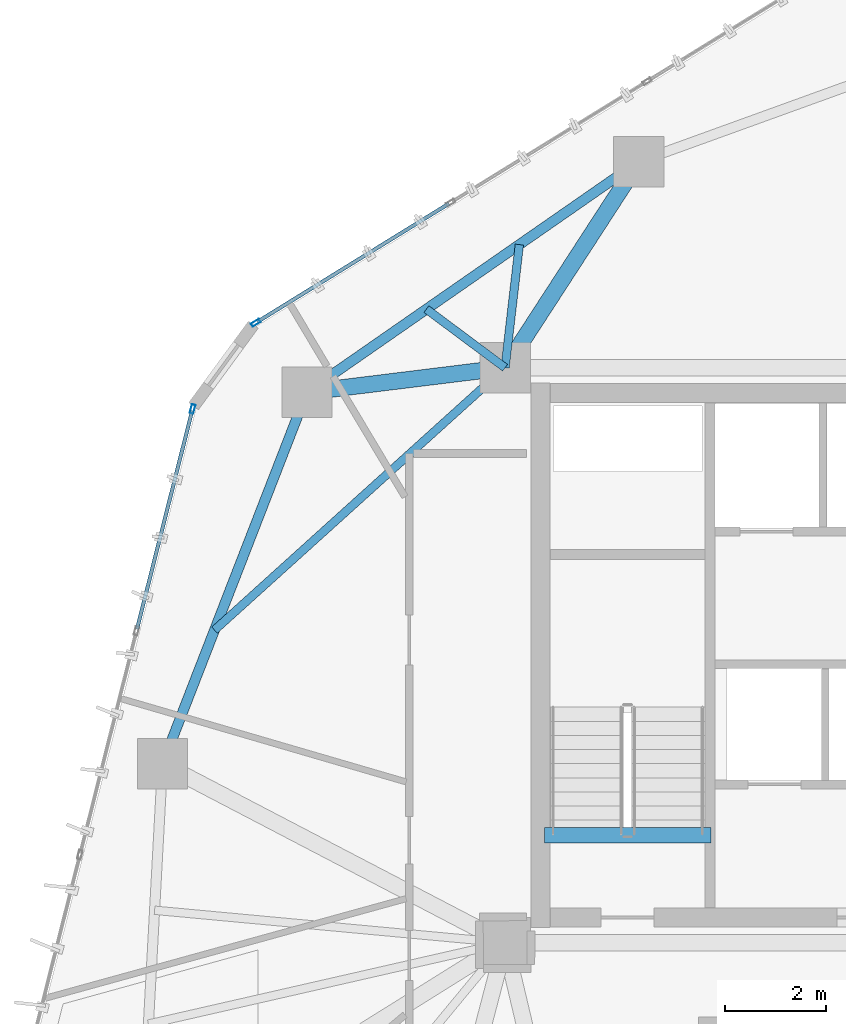
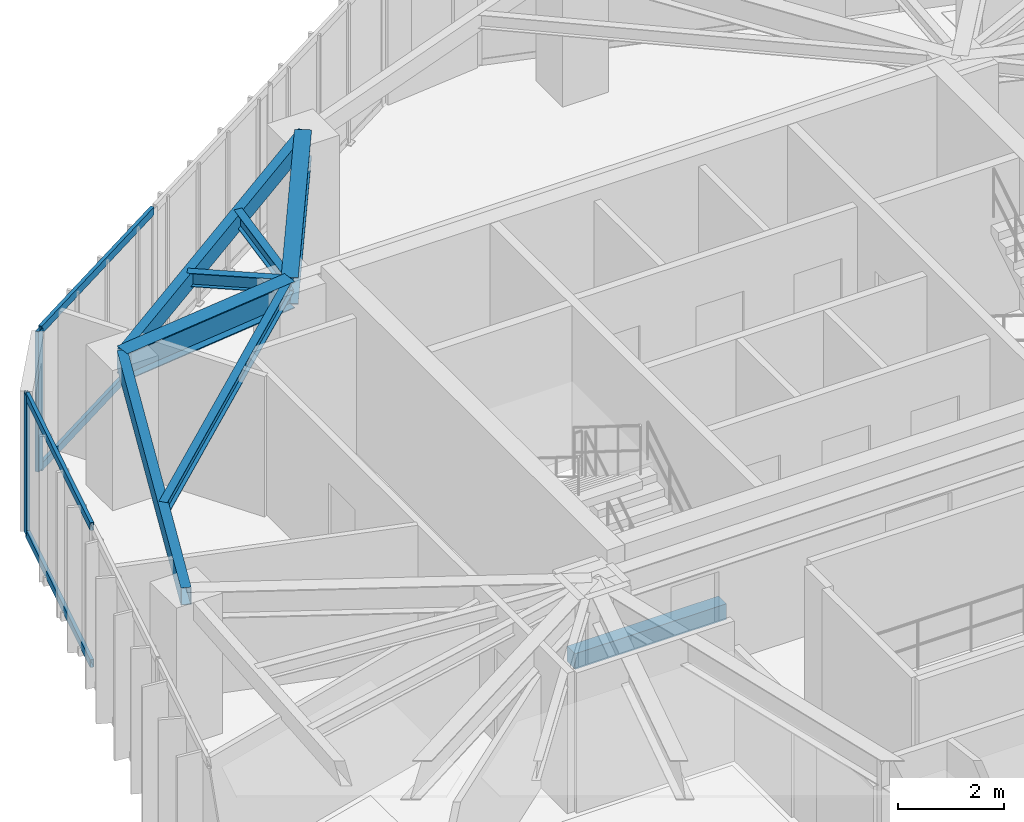
# One storey, part 7 of 21: 8 beams, 6 members, 2 elements without a shape of their own.
"""IFC4 building model written with IfcOpenShell, lengths in metres."""

from ifc_helpers import new_model, si_unit, direction, frame, origin, origin_2d, place, context, subcontext, project, spatial, rectangle, hollow_rectangle, i_section, extrude, source, transform, mapped, material, layer, layer_set, material_profile, profile_set, type_object, type_shapes, element, aggregate, save


model = new_model("IFC4")

# Units and contexts
model_context = context("Model", 3, precision=1e-05, world=origin(), true_north=direction((0.0, 1.0)))
body_context = subcontext(model_context, "Body", "Model", "MODEL_VIEW")
ifc_project = project(units=[si_unit("LENGTHUNIT", "METRE"), si_unit("AREAUNIT", "SQUARE_METRE"), si_unit("VOLUMEUNIT", "CUBIC_METRE"), si_unit("PLANEANGLEUNIT", "RADIAN"), si_unit("MASSUNIT", "GRAM", prefix="KILO")], contexts=[model_context])

# Site, building, storey
site_placement = place(None, origin())
site = spatial("IfcSite", under=ifc_project, at=site_placement, CompositionType="ELEMENT")
building_placement = place(site_placement, origin())
building = spatial("IfcBuilding", under=site, at=building_placement, Name="Talar Marvaseh", CompositionType="ELEMENT")
storey_placement = place(building_placement, frame((0.0, 0.0, 184.5)))
storey = spatial("IfcBuildingStorey", under=building, at=storey_placement, Name="L48", CompositionType="ELEMENT", Elevation=184.5)

# Beams
ifc_material_1 = material(Name="Concrete C40/50", Category="concrete")
ifc_material_profile_1 = material_profile(ifc_material_1, rectangle(XDim=0.300048828125, YDim=0.360107421875, at=origin_2d()), Name="RC300x360")
ifc_profile_set_1 = profile_set([ifc_material_profile_1], Name="Concrete C40/50")
beam_type_1 = type_object("IfcBeamType", Name="Concrete Stair Landing Trimmer Beam RC300x360", PredefinedType="SPANDREL", material=ifc_profile_set_1)
beam_1_placement = place(storey_placement, frame((22.780029296875, 27.6298828125, -0.179931640625), z_axis=(-1.0, 0.0, 0.0), x_axis=(0.0, -1.0, 0.0)))
element("IfcBeam", 1, at=beam_1_placement, inside=storey, type_object=beam_type_1, Name="L48 ST-1 Stair Nosing Trimmer Beam", PredefinedType="SPANDREL", context=body_context, shape_type="SweptSolid", body=[
    extrude(rectangle(XDim=0.300048828125, YDim=0.360107421875, at=origin_2d()), origin(), (0.0, 0.0, 1.0), 3.300048828125),
])
ifc_material_2 = material(Name="Steel S355", Category="steel")
ifc_material_profile_2 = material_profile(ifc_material_2, hollow_rectangle(XDim=0.199951171875, YDim=0.39990234375, WallThickness=0.013916015625, at=origin_2d()), Name="RHS400x200x14")
ifc_profile_set_2 = profile_set([ifc_material_profile_2], Name="Steel S355")
beam_type_2 = type_object("IfcBeamType", Name="Zone 3 Perimeter Spandrel Beam RHS400x200x14", PredefinedType="SPANDREL", material=ifc_profile_set_2)
beam_2_placement = place(storey_placement, frame((11.908935546875, 29.044921875, 3.030029296875), z_axis=(0.362169134611, 0.932112395548, 0.0), x_axis=(-0.932112395548, 0.362169134611, 0.0)))
element("IfcBeam", 2, at=beam_2_placement, inside=storey, type_object=beam_type_2, Name="L48 Zone 3 Perimeter Spandrel Beam RHS400x200x14", PredefinedType="SPANDREL", context=body_context, shape_type="SweptSolid", body=[
    extrude(hollow_rectangle(XDim=0.199951171875, YDim=0.39990234375, WallThickness=0.013916015625, at=origin_2d()), origin(), (0.0, 0.0, 1.0), 7.907958984375),
])
beam_3_placement = place(storey_placement, frame((14.77294921875, 36.416015625, 3.030029296875), z_axis=(0.821296978901, 0.570500896098, 0.0), x_axis=(-0.570500896098, 0.821296978901, 0.0)))
element("IfcBeam", 3, at=beam_3_placement, inside=storey, type_object=beam_type_2, Name="L48 Zone 3 Perimeter Spandrel Beam RHS400x200x14", PredefinedType="SPANDREL", context=body_context, shape_type="SweptSolid", body=[
    extrude(hollow_rectangle(XDim=0.199951171875, YDim=0.39990234375, WallThickness=0.013916015625, at=origin_2d()), origin(), (0.0, 0.0, 1.0), 8.0107421875),
])
ifc_material_profile_3 = material_profile(ifc_material_2, i_section(OverallWidth=0.324951171875, OverallDepth=0.615966796875, WebThickness=0.013916015625, FlangeThickness=0.021484375, at=origin_2d()), Name="W610x174")
ifc_profile_set_3 = profile_set([ifc_material_profile_3], Name="Steel S355")
beam_type_3 = type_object("IfcBeamType", Name="Zone 3 Radial Floor Girder W610x174", PredefinedType="BEAM", material=ifc_profile_set_3)
beam_4_placement = place(storey_placement, frame((14.77294921875, 36.416015625, 2.922119140625), z_axis=(0.99249373738, 0.122295467049, 0.0), x_axis=(-0.122295467049, 0.99249373738, 0.0)))
element("IfcBeam", 4, at=beam_4_placement, inside=storey, type_object=beam_type_3, Name="L48 Zone 3 Radial Floor Girder W610x174", PredefinedType="BEAM", context=body_context, shape_type="SweptSolid", body=[
    extrude(i_section(OverallWidth=0.324951171875, OverallDepth=0.615966796875, WebThickness=0.013916015625, FlangeThickness=0.021484375, at=origin_2d()), origin(), (0.0, 0.0, 1.0), 3.956787109375),
])
beam_5_placement = place(storey_placement, frame((21.35205078125, 40.986083984375, 2.922119140625), z_axis=(-0.544422757063, -0.838810980849, 0.0), x_axis=(0.838810980849, -0.544422757063, 0.0)))
element("IfcBeam", 5, at=beam_5_placement, inside=storey, type_object=beam_type_3, Name="L48 Zone 3 Radial Floor Girder W610x174", PredefinedType="BEAM", context=body_context, shape_type="SweptSolid", body=[
    extrude(i_section(OverallWidth=0.324951171875, OverallDepth=0.615966796875, WebThickness=0.013916015625, FlangeThickness=0.021484375, at=origin_2d()), origin(), (0.0, 0.0, 1.0), 4.871337890625),
])
ifc_material_profile_4 = material_profile(ifc_material_2, i_section(OverallWidth=0.166015625, OverallDepth=0.31298828125, WebThickness=0.006591796875, FlangeThickness=0.01123046875, at=origin_2d()), Name="W310x45")
ifc_profile_set_4 = profile_set([ifc_material_profile_4], Name="Steel S355")
beam_type_4 = type_object("IfcBeamType", Name="Zone 3 Secondary Floor Joist W310x45", PredefinedType="JOIST", material=ifc_profile_set_4)
beam_6_placement = place(storey_placement, frame((12.93994140625, 31.698486328125, 3.073486328125), z_axis=(0.74217784775, 0.670202985899, 0.0), x_axis=(-0.670202985899, 0.74217784775, 0.0)))
element("IfcBeam", 6, at=beam_6_placement, inside=storey, type_object=beam_type_4, Name="L48 Zone 3 Secondary Floor Joist W310x45", PredefinedType="JOIST", context=body_context, shape_type="SweptSolid", body=[
    extrude(i_section(OverallWidth=0.166015625, OverallDepth=0.31298828125, WebThickness=0.006591796875, FlangeThickness=0.01123046875, at=origin_2d()), origin(), (0.0, 0.0, 1.0), 7.760986328125),
])
beam_7_placement = place(storey_placement, frame((17.141357421875, 38.061279296875, 3.073486328125), z_axis=(0.801865127607, -0.597505077072, 0.0), x_axis=(0.597505077072, 0.801865127607, 0.0)))
element("IfcBeam", 7, at=beam_7_placement, inside=storey, type_object=beam_type_4, Name="L48 Zone 3 Secondary Floor Joist W310x45", PredefinedType="JOIST", context=body_context, shape_type="SweptSolid", body=[
    extrude(i_section(OverallWidth=0.166015625, OverallDepth=0.31298828125, WebThickness=0.006591796875, FlangeThickness=0.01123046875, at=origin_2d()), origin(), (0.0, 0.0, 1.0), 1.943603515625),
])
beam_8_placement = place(storey_placement, frame((18.983642578125, 39.3408203125, 3.073486328125), z_axis=(-0.115446145895, -0.993313740667, 0.0), x_axis=(0.993313740667, -0.115446145895, 0.0)))
element("IfcBeam", 8, at=beam_8_placement, inside=storey, type_object=beam_type_4, Name="L48 Zone 3 Secondary Floor Joist W310x45", PredefinedType="JOIST", context=body_context, shape_type="SweptSolid", body=[
    extrude(i_section(OverallWidth=0.166015625, OverallDepth=0.31298828125, WebThickness=0.006591796875, FlangeThickness=0.01123046875, at=origin_2d()), origin(), (0.0, 0.0, 1.0), 2.457275390625),
])

# Curtain wall, member
ifc_material_3 = material(Name="Architectural Aluminium", Category="aluminium")
ifc_layer = layer(ifc_material_3, 0.18994140625)
ifc_layer_set = layer_set([ifc_layer], Name="Architectural Aluminium")
curtain_wall_type = type_object("IfcCurtainWallType", Name="Unitised Solar Atelier Curtain Wall Z3", PredefinedType="NOTDEFINED", material=ifc_layer_set)
curtain_wall_1_placement = place(storey_placement, origin())
curtain_wall_1 = element("IfcCurtainWall", 9, at=curtain_wall_1_placement, inside=storey, type_object=curtain_wall_type, Name="L48 Unitised Solar Atelier Curtain Wall Z3", PredefinedType="NOTDEFINED")
ifc_material_profile_5 = material_profile(ifc_material_3, hollow_rectangle(XDim=0.074951171875, YDim=0.179931640625, WallThickness=0.0048828125, at=origin_2d()), Name="RHS180x75x5")
ifc_profile_set_5 = profile_set([ifc_material_profile_5], Name="Architectural Aluminium")
member_type_1 = type_object("IfcMemberType", Name="Unitised Curtain Wall Standard Mullion RHS180x75x5", PredefinedType="MULLION", material=ifc_profile_set_5)
shared_shape_1 = source(origin(), body_context, "Body", "SweptSolid", [
    extrude(hollow_rectangle(XDim=0.074951171875, YDim=0.179931640625, WallThickness=0.0048828125, at=origin_2d()), origin(), (0.0, 0.0, 1.0), 3.22998046875),
])
type_shapes(member_type_1, [shared_shape_1])
member_1_placement = place(storey_placement, frame((12.505615234375, 36.08154296875, 0.0), z_axis=(0.0, 0.0, 1.0), x_axis=(-0.969522498884, 0.245002294189, 0.0)))
member_1 = element("IfcMember", 10, at=member_1_placement, type_object=member_type_1, Name="CW-Z3 mullion 4", PredefinedType="MULLION", context=body_context, shape_type="MappedRepresentation", body=[
    mapped(shared_shape_1, transform((0.0, 0.0, 0.0), x_axis=(1.0, 0.0, 0.0), y_axis=(0.0, 1.0, 0.0), z_axis=(0.0, 0.0, 1.0), scale=1.0)),
])

# Curtain wall, members
curtain_wall_2_placement = place(storey_placement, origin())
curtain_wall_2 = element("IfcCurtainWall", 11, at=curtain_wall_2_placement, inside=storey, type_object=curtain_wall_type, Name="L48 Unitised Solar Atelier Curtain Wall Z3", PredefinedType="NOTDEFINED")
member_2_placement = place(storey_placement, frame((13.758056640625, 37.789306640625, 0.0), z_axis=(0.0, 0.0, 1.0), x_axis=(-0.525203385249, 0.850976735359, 0.0)))
member_2 = element("IfcMember", 12, at=member_2_placement, type_object=member_type_1, Name="CW-Z3 mullion 1", PredefinedType="MULLION", context=body_context, shape_type="MappedRepresentation", body=[
    mapped(shared_shape_1, transform((0.0, 0.0, 0.0), x_axis=(1.0, 0.0, 0.0), y_axis=(0.0, 1.0, 0.0), z_axis=(0.0, 0.0, 1.0), scale=1.0)),
])
ifc_material_profile_6 = material_profile(ifc_material_3, hollow_rectangle(XDim=0.074951171875, YDim=0.179931640625, WallThickness=0.0048828125, at=origin_2d()), Name="RHS180x75x5")
ifc_profile_set_6 = profile_set([ifc_material_profile_6], Name="Architectural Aluminium")
member_type_2 = type_object("IfcMemberType", Name="Unitised Curtain Wall Transom RHS180x75x5", PredefinedType="USERDEFINED", material=ifc_profile_set_6)
shared_shape_2 = source(origin(), body_context, "Body", "SweptSolid", [
    extrude(hollow_rectangle(XDim=0.074951171875, YDim=0.179931640625, WallThickness=0.0048828125, at=origin_2d()), origin(), (0.0, 0.0, 1.0), 4.464599609375),
])
member_3_placement = place(storey_placement, frame((13.7900390625, 37.80908203125, 0.03759765625), z_axis=(0.850989214435, 0.52518316511, 0.0), x_axis=(-0.52518316511, 0.850989214435, 0.0)))
member_3 = element("IfcMember", 13, at=member_3_placement, type_object=member_type_2, Name="CW-Z3 transom 1.1", ObjectType="TRANSOM", PredefinedType="USERDEFINED", context=body_context, shape_type="MappedRepresentation", body=[
    mapped(shared_shape_2, transform((0.0, 0.0, 0.0), x_axis=(1.0, 0.0, 0.0), y_axis=(0.0, 1.0, 0.0), z_axis=(0.0, 0.0, 1.0), scale=1.0)),
])
member_4_placement = place(storey_placement, frame((13.7900390625, 37.80908203125, 3.1923828125), z_axis=(0.850989214435, 0.52518316511, 0.0), x_axis=(-0.52518316511, 0.850989214435, 0.0)))
member_4 = element("IfcMember", 14, at=member_4_placement, type_object=member_type_2, Name="CW-Z3 transom 1.2", ObjectType="TRANSOM", PredefinedType="USERDEFINED", context=body_context, shape_type="MappedRepresentation", body=[
    mapped(shared_shape_2, transform((0.0, 0.0, 0.0), x_axis=(1.0, 0.0, 0.0), y_axis=(0.0, 1.0, 0.0), z_axis=(0.0, 0.0, 1.0), scale=1.0)),
])
aggregate(curtain_wall_2, [member_2, member_3, member_4])

# Member
shared_shape_3 = source(origin(), body_context, "Body", "SweptSolid", [
    extrude(hollow_rectangle(XDim=0.074951171875, YDim=0.179931640625, WallThickness=0.0048828125, at=origin_2d()), origin(), (0.0, 0.0, 1.0), 4.46484375),
])
type_shapes(member_type_2, [shared_shape_2, shared_shape_3])
member_5_placement = place(storey_placement, frame((11.402587890625, 31.71630859375, 0.03759765625), z_axis=(0.24501791381, 0.969518551608, 0.0), x_axis=(-0.969518551608, 0.24501791381, 0.0)))
member_5 = element("IfcMember", 15, at=member_5_placement, type_object=member_type_2, Name="CW-Z3 transom 3.1", ObjectType="TRANSOM", PredefinedType="USERDEFINED", context=body_context, shape_type="MappedRepresentation", body=[
    mapped(shared_shape_3, transform((0.0, 0.0, 0.0), x_axis=(1.0, 0.0, 0.0), y_axis=(0.0, 1.0, 0.0), z_axis=(0.0, 0.0, 1.0), scale=1.0)),
])

member_6_placement = place(storey_placement, frame((11.402587890625, 31.71630859375, 3.1923828125), z_axis=(0.24501791381, 0.969518551608, 0.0), x_axis=(-0.969518551608, 0.24501791381, 0.0)))
member_6 = element("IfcMember", 16, at=member_6_placement, type_object=member_type_2, Name="CW-Z3 transom 3.2", ObjectType="TRANSOM", PredefinedType="USERDEFINED", context=body_context, shape_type="MappedRepresentation", body=[
    mapped(shared_shape_3, transform((0.0, 0.0, 0.0), x_axis=(1.0, 0.0, 0.0), y_axis=(0.0, 1.0, 0.0), z_axis=(0.0, 0.0, 1.0), scale=1.0)),
])

aggregate(curtain_wall_1, [member_1, member_5, member_6])

save(model, "model.ifc")
